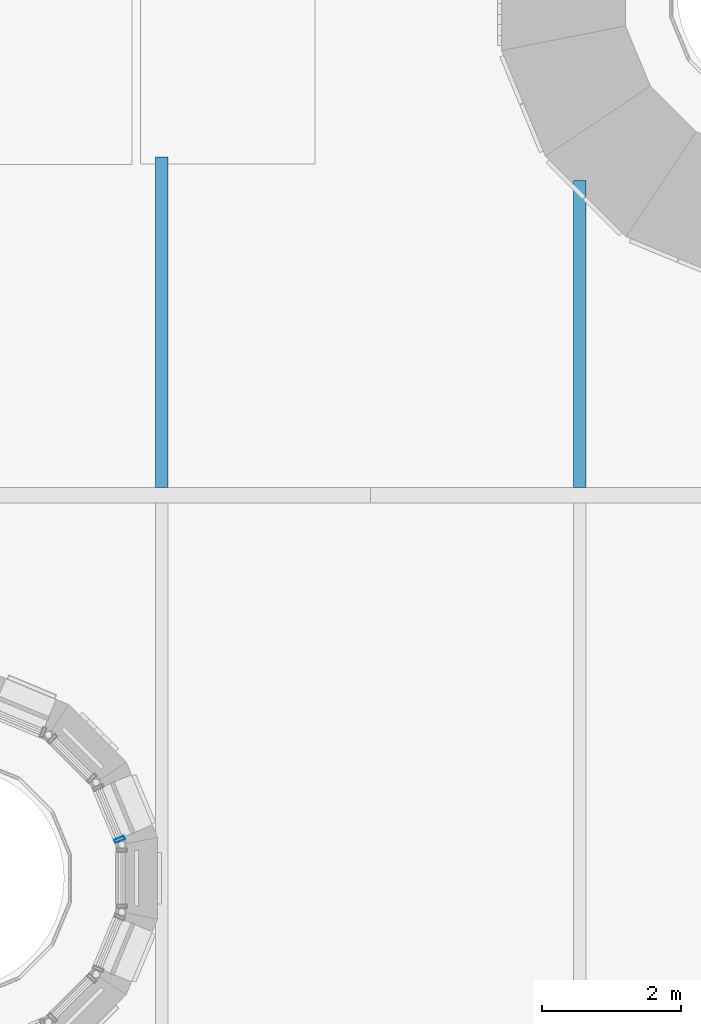
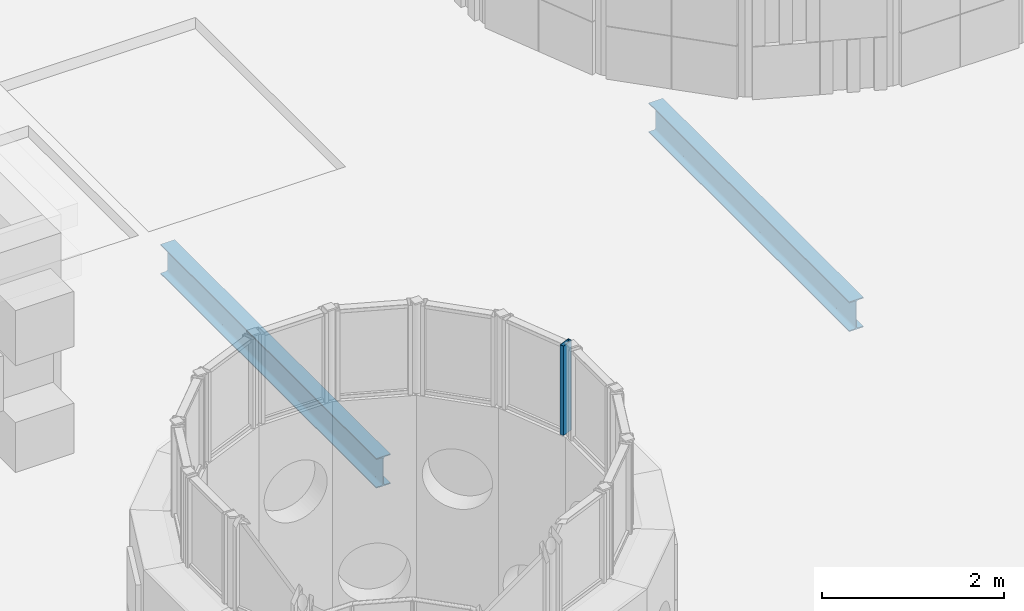
# One storey, part 8 of 98: 3 members, 1 element without a shape of its own.
"""IFC4 building model written with IfcOpenShell, lengths in metres."""

from ifc_helpers import new_model, si_unit, direction, frame, origin, origin_2d, place, context, subcontext, project, spatial, hollow_rectangle, i_section, extrude, material, material_profile, profile_set, type_object, element, aggregate, save


model = new_model("IFC4")

# Units and contexts
model_context = context("Model", 3, precision=1e-05, world=origin(), true_north=direction((0.0, 1.0)))
body_context = subcontext(model_context, "Body", "Model", "MODEL_VIEW")
ifc_project = project(units=[si_unit("LENGTHUNIT", "METRE"), si_unit("AREAUNIT", "SQUARE_METRE"), si_unit("VOLUMEUNIT", "CUBIC_METRE"), si_unit("PLANEANGLEUNIT", "RADIAN"), si_unit("MASSUNIT", "GRAM", prefix="KILO")], contexts=[model_context])

# Site, building, storey
site_placement = place(None, origin())
site = spatial("IfcSite", under=ifc_project, at=site_placement, CompositionType="ELEMENT")
building_placement = place(site_placement, origin())
building = spatial("IfcBuilding", under=site, at=building_placement, Name="Sun Court Science Centre", CompositionType="ELEMENT")
storey_placement = place(building_placement, frame((0.0, 0.0, 15.75)))
storey = spatial("IfcBuildingStorey", under=building, at=storey_placement, Name="L03", CompositionType="ELEMENT", Elevation=15.75)

# Curtain wall, member
ifc_material_1 = material(Name="Aluminium EN AW-6063 T6", Category="aluminium")
curtain_wall_type = type_object("IfcCurtainWallType", Name="Lantern clerestory curtain wall 1500", PredefinedType="NOTDEFINED", material=ifc_material_1)
curtain_wall_placement = place(storey_placement, origin())
curtain_wall = element("IfcCurtainWall", 1, at=curtain_wall_placement, inside=storey, type_object=curtain_wall_type, Name="Curtain wall V2 C3 clerestory L03 01", PredefinedType="NOTDEFINED")
ifc_material_2 = material(Name="Aluminium EN AW-6063 T6", Category="aluminium")
ifc_material_profile_1 = material_profile(ifc_material_2, hollow_rectangle(XDim=0.050048828125, YDim=0.14990234375, WallThickness=0.00390625, InnerFilletRadius=0.00390625, OuterFilletRadius=0.006103515625, at=origin_2d()), Name="AL 50x150x4")
ifc_profile_set_1 = profile_set([ifc_material_profile_1], Name="Aluminium EN AW-6063 T6")
member_type_1 = type_object("IfcMemberType", Name="Curtain wall mullion AL 50x150", PredefinedType="MULLION", material=ifc_profile_set_1)
member_1_placement = place(storey_placement, frame((32.399169921875, 12.059326171875, 3.449951171875), z_axis=(0.0, 0.0, 1.0), x_axis=(0.382683432365, -0.923879532511, 0.0)))
member_1 = element("IfcMember", 2, at=member_1_placement, type_object=member_type_1, Name="CW4-33 mullion 2", PredefinedType="MULLION", context=body_context, shape_type="SweptSolid", body=[
    extrude(hollow_rectangle(XDim=0.050048828125, YDim=0.14990234375, WallThickness=0.00390625, InnerFilletRadius=0.00390625, OuterFilletRadius=0.006103515625, at=origin_2d()), origin(), (0.0, 0.0, 1.0), 1.199951171875),
])
aggregate(curtain_wall, [member_1])

# Members
ifc_material_3 = material(Name="Steel S275", Category="steel")
ifc_material_profile_2 = material_profile(ifc_material_3, i_section(OverallWidth=0.179931640625, OverallDepth=0.39990234375, WebThickness=0.008544921875, FlangeThickness=0.013427734375, FilletRadius=0.02099609375, at=origin_2d()), Name="IPE 400")
ifc_profile_set_2 = profile_set([ifc_material_profile_2], Name="Steel S275")
member_type_2 = type_object("IfcMemberType", Name="Roof purlin IPE 400", PredefinedType="PURLIN", material=ifc_profile_set_2)
member_2_placement = place(storey_placement, frame((33.0, 17.110107421875, -0.35009765625), z_axis=(0.0, 1.0, 0.0), x_axis=(-1.0, 0.0, 0.0)))
element("IfcMember", 3, at=member_2_placement, inside=storey, type_object=member_type_2, Name="Roof purlin", PredefinedType="PURLIN", context=body_context, shape_type="SweptSolid", body=[
    extrude(i_section(OverallWidth=0.179931640625, OverallDepth=0.39990234375, WebThickness=0.008544921875, FlangeThickness=0.013427734375, FilletRadius=0.02099609375, at=origin_2d()), origin(), (0.0, 0.0, 1.0), 4.739990234375),
])
member_3_placement = place(storey_placement, frame((39.0, 17.110107421875, -0.35009765625), z_axis=(0.0, 1.0, 0.0), x_axis=(-1.0, 0.0, 0.0)))
element("IfcMember", 4, at=member_3_placement, inside=storey, type_object=member_type_2, Name="Roof purlin", PredefinedType="PURLIN", context=body_context, shape_type="SweptSolid", body=[
    extrude(i_section(OverallWidth=0.179931640625, OverallDepth=0.39990234375, WebThickness=0.008544921875, FlangeThickness=0.013427734375, FilletRadius=0.02099609375, at=origin_2d()), origin(), (0.0, 0.0, 1.0), 4.40576171875),
])

save(model, "model.ifc")
